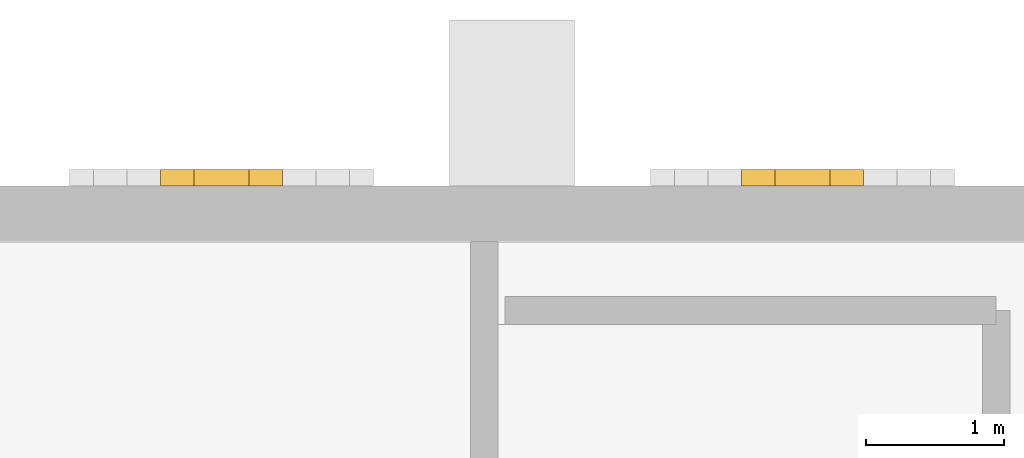
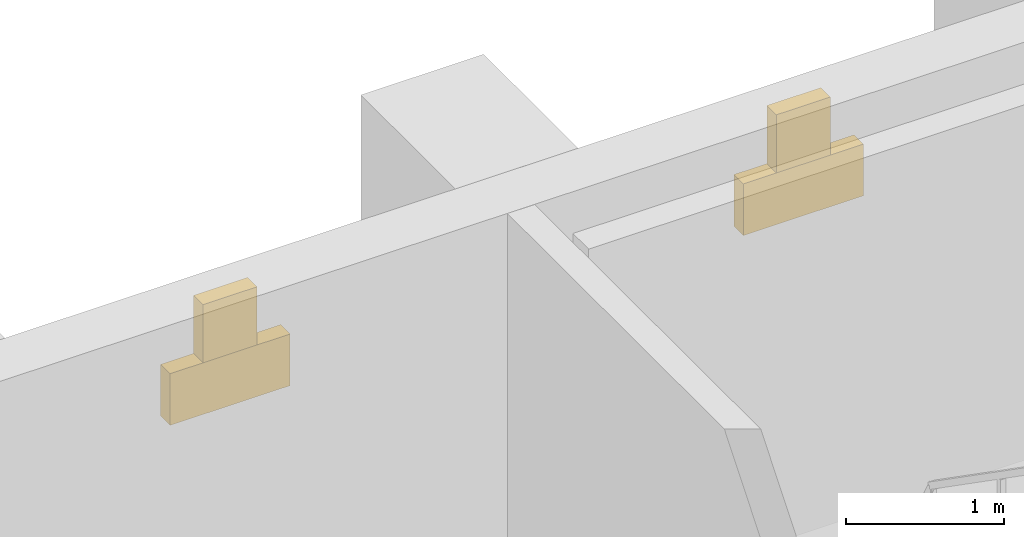
# One storey, part 14 of 14: 4 coverings.
"""IFC4 building model written with IfcOpenShell, lengths in metres."""

import ifcopenshell
import ifcopenshell.guid

model = None  # the IFC model being written
_history = None  # IfcOwnerHistory: only IFC2X3 demands one
_inside = {}  # id of a spatial element -> (the spatial element, [elements in it])
_under = {}  # id of a project, library or spatial element -> (it, [spatial elements below it])
_declared = {}  # id of a project -> (the project, [libraries it declares])
_typed = {}  # id of a type object -> (the type object, [elements of that type])
_made_of = {}  # id of a material, layer set ... -> (it, [elements and type objects made of it])


def new_model(schema):
    """Start an empty IFC model of exactly this schema.

    Asked for "IFC4X3", IfcOpenShell would pick the latest addendum, in which some entities
    have other attributes; the version numbers below select the first issue.
    IFC2X3 requires an IfcOwnerHistory on every rooted entity: one is made here for all.
    """
    global model, _history
    if schema == "IFC4X3":
        model = ifcopenshell.file(schema_version=(4, 3, 0, 0))
    else:
        model = ifcopenshell.file(schema=schema)
    _inside.clear()
    _under.clear()
    _declared.clear()
    _typed.clear()
    _made_of.clear()
    _history = None
    if model.schema == "IFC2X3":
        org = make("IfcOrganization", Name="unknown")
        user = make(
            "IfcPersonAndOrganization",
            ThePerson=make("IfcPerson", FamilyName="unknown"),
            TheOrganization=org,
        )
        app = make(
            "IfcApplication",
            ApplicationDeveloper=org,
            Version="unknown",
            ApplicationFullName="unknown",
            ApplicationIdentifier="unknown",
        )
        _history = make(
            "IfcOwnerHistory",
            OwningUser=user,
            OwningApplication=app,
            ChangeAction="ADDED",
            CreationDate=0,
        )
    return model


def make(cls, **values):
    """One entity of the class cls with the attributes given. An attribute that is None is left unset."""
    return model.create_entity(
        cls, **{name: value for name, value in values.items() if value is not None}
    )


def rooted(cls, **values):
    """An entity with a GlobalId (a new one), such as an element, a storey or a relation."""
    return make(cls, GlobalId=ifcopenshell.guid.new(), OwnerHistory=_history, **values)


def si_unit(unit_type, name, prefix=None):
    """IfcSIUnit, for example si_unit("LENGTHUNIT", "METRE", prefix="MILLI")."""
    return make("IfcSIUnit", UnitType=unit_type, Prefix=prefix, Name=name)


def assignment(units):
    """IfcUnitAssignment: the units of a project."""
    return None if units is None else make("IfcUnitAssignment", Units=units)


def point(xyz):
    """IfcCartesianPoint."""
    return None if xyz is None else make("IfcCartesianPoint", Coordinates=xyz)


def direction(xyz):
    """IfcDirection."""
    return None if xyz is None else make("IfcDirection", DirectionRatios=xyz)


def frame(location, z_axis=None, x_axis=None):
    """IfcAxis2Placement3D, a coordinate frame: its origin and axes. An axis left out is left unset."""
    return make(
        "IfcAxis2Placement3D",
        Location=point(location),
        Axis=direction(z_axis),
        RefDirection=direction(x_axis),
    )


def origin():
    """The frame at (0, 0, 0) with its axes left unset."""
    return frame((0.0, 0.0, 0.0))


def place(relative_to, where):
    """IfcLocalPlacement: puts the frame where relative to a parent placement (None: the world)."""
    return make(
        "IfcLocalPlacement", PlacementRelTo=relative_to, RelativePlacement=where
    )


def context(
    kind, dimensions, precision=None, world=None, true_north=None, identifier=None
):
    """IfcGeometricRepresentationContext, for example the 3D "Model" context."""
    return make(
        "IfcGeometricRepresentationContext",
        ContextIdentifier=identifier,
        ContextType=kind,
        CoordinateSpaceDimension=dimensions,
        Precision=precision,
        WorldCoordinateSystem=world,
        TrueNorth=true_north,
    )


def subcontext(parent, identifier, kind, view, scale=None):
    """IfcGeometricRepresentationSubContext, for example "Body" below "Model"."""
    return make(
        "IfcGeometricRepresentationSubContext",
        ContextIdentifier=identifier,
        ContextType=kind,
        ParentContext=parent,
        TargetScale=scale,
        TargetView=view,
    )


def project(units=None, contexts=None):
    """IfcProject with its units and contexts."""
    return rooted(
        "IfcProject",
        Name="project",
        RepresentationContexts=contexts,
        UnitsInContext=assignment(units),
    )


def spatial(cls, under=None, at=None, **own):
    """A site, building, storey or space (cls), placed at a placement, below another one or the project."""
    s = rooted(cls, ObjectPlacement=at, **own)
    if under is not None:
        _under.setdefault(under.id(), (under, []))[1].append(s)
    return s


def polyline(points):
    """IfcPolyline through the points."""
    return make("IfcPolyline", Points=[point(p) for p in points])


def outline(outer, holes=None, kind="AREA"):
    """IfcArbitraryClosedProfileDef: a profile drawn as a closed curve; with holes, ...WithVoids."""
    if holes is None:
        return make("IfcArbitraryClosedProfileDef", ProfileType=kind, OuterCurve=outer)
    return make(
        "IfcArbitraryProfileDefWithVoids",
        ProfileType=kind,
        OuterCurve=outer,
        InnerCurves=holes,
    )


def extrude(swept, where, along, depth):
    """IfcExtrudedAreaSolid: the profile swept, set in the frame where, extruded along a direction by depth."""
    return make(
        "IfcExtrudedAreaSolid",
        SweptArea=swept,
        Position=where,
        ExtrudedDirection=direction(along),
        Depth=depth,
    )


def shape(context_of_items, identifier, shape_type, items):
    """IfcShapeRepresentation: the items that make up one representation, for example the "Body"."""
    return make(
        "IfcShapeRepresentation",
        ContextOfItems=context_of_items,
        RepresentationIdentifier=identifier,
        RepresentationType=shape_type,
        Items=items,
    )


def material(Name=None, Category=None):
    """IfcMaterial."""
    return make("IfcMaterial", Name=Name, Category=Category)


def made_of(thing, what):
    """Note that an element or type object is made of a material, layer set ...; save() writes the relation."""
    if what is not None:
        _made_of.setdefault(what.id(), (what, []))[1].append(thing)
    return thing


def type_object(cls, material=None, **own):
    """A type object (cls), such as IfcWallType, which elements share."""
    return made_of(rooted(cls, **own), material)


def element(
    cls,
    number,
    at=None,
    inside=None,
    cuts=None,
    type_object=None,
    material=None,
    context=None,
    identifier="Body",
    shape_type=None,
    held_by="IfcProductDefinitionShape",
    body=None,
    shapes=None,
    **own,
):
    """One element of the class cls, such as IfcWall. Its Tag is "e" and its number.

    at: its placement. inside: the storey or other place that contains it. cuts: it is an
    opening in that element (IfcRelVoidsElement). A single representation is given by context,
    identifier, shape_type and body (its items); several are given by shapes. held_by: the class
    of the entity that holds the representations. save() writes the other relations.
    """
    e = rooted(cls, Tag="e%d" % number, ObjectPlacement=at, **own)
    if body is not None:
        shapes = [shape(context, identifier, shape_type, body)]
    if shapes is not None:
        e.Representation = make(held_by, Representations=shapes)
    if inside is not None:
        _inside.setdefault(inside.id(), (inside, []))[1].append(e)
    if cuts is not None:
        rooted(
            "IfcRelVoidsElement", RelatingBuildingElement=cuts, RelatedOpeningElement=e
        )
    if type_object is not None:
        _typed.setdefault(type_object.id(), (type_object, []))[1].append(e)
    return made_of(e, material)


def aggregate(whole, parts):
    """IfcRelAggregates: a whole, such as a stair, and the parts it consists of."""
    return rooted("IfcRelAggregates", RelatingObject=whole, RelatedObjects=parts)


def save(model, path):
    """Write the relations noted so far, then the file.

    IfcRelAggregates (storeys below a building ...), IfcRelContainedInSpatialStructure (elements
    in a storey), IfcRelDefinesByType, IfcRelAssociatesMaterial and IfcRelDeclares: one each for
    every whole, place, type object, material and project.
    """
    for whole, parts in _under.values():
        aggregate(whole, parts)
    for where, things in _inside.values():
        rooted(
            "IfcRelContainedInSpatialStructure",
            RelatedElements=things,
            RelatingStructure=where,
        )
    for kind, things in _typed.values():
        rooted("IfcRelDefinesByType", RelatedObjects=things, RelatingType=kind)
    for what, things in _made_of.values():
        rooted("IfcRelAssociatesMaterial", RelatedObjects=things, RelatingMaterial=what)
    for by, libraries in _declared.values():
        rooted("IfcRelDeclares", RelatingContext=by, RelatedDefinitions=libraries)
    model.write(path)


model = new_model("IFC4")

# Units and contexts
model_context = context("Model", 3, precision=1e-05, world=origin(), true_north=direction((0.0, 1.0)))
body_context = subcontext(model_context, "Body", "Model", "MODEL_VIEW")
ifc_project = project(units=[si_unit("LENGTHUNIT", "METRE"), si_unit("AREAUNIT", "SQUARE_METRE"), si_unit("VOLUMEUNIT", "CUBIC_METRE"), si_unit("PLANEANGLEUNIT", "RADIAN"), si_unit("MASSUNIT", "GRAM", prefix="KILO")], contexts=[model_context])

# Site, building, storey
site_placement = place(None, origin())
site = spatial("IfcSite", under=ifc_project, at=site_placement, CompositionType="ELEMENT")
building_placement = place(site_placement, origin())
building = spatial("IfcBuilding", under=site, at=building_placement, Name="Vermilion Ogive Tower", CompositionType="ELEMENT")
storey_placement = place(building_placement, frame((0.0, 0.0, 278.35009765625)))
storey = spatial("IfcBuildingStorey", under=building, at=storey_placement, Name="L73", CompositionType="ELEMENT", Elevation=278.35009765625)

# Coverings
ifc_material = material(Name="Stone cladding", Category="masonry")
covering_type = type_object("IfcCoveringType", Name="Lancet panel", PredefinedType="CLADDING", material=ifc_material)
covering_1_placement = place(storey_placement, frame((0.0, 0.0, 4.89990234375)))
element("IfcCovering", 1, at=covering_1_placement, inside=storey, type_object=covering_type, Name="Lancet panel L73N3D", PredefinedType="CLADDING", context=body_context, shape_type="SweptSolid", body=[
    extrude(outline(polyline([(1.659912109375, 21.75), (2.5400390625, 21.75), (2.5400390625, 21.8701171875), (1.659912109375, 21.8701171875), (1.659912109375, 21.75)])), origin(), (0.0, 0.0, 1.0), 0.39990234375),
])
covering_2_placement = place(storey_placement, frame((0.0, 0.0, 5.2998046875)))
element("IfcCovering", 2, at=covering_2_placement, inside=storey, type_object=covering_type, Name="Lancet panel L73N3E", PredefinedType="CLADDING", context=body_context, shape_type="SweptSolid", body=[
    extrude(outline(polyline([(1.902099609375, 21.75), (2.298095703125, 21.75), (2.298095703125, 21.8701171875), (1.902099609375, 21.8701171875), (1.902099609375, 21.75)])), origin(), (0.0, 0.0, 1.0), 0.4501953125),
])
covering_3_placement = place(storey_placement, frame((0.0, 0.0, 4.89990234375)))
element("IfcCovering", 3, at=covering_3_placement, inside=storey, type_object=covering_type, Name="Lancet panel L73N4D", PredefinedType="CLADDING", context=body_context, shape_type="SweptSolid", body=[
    extrude(outline(polyline([(5.860107421875, 21.75), (6.739990234375, 21.75), (6.739990234375, 21.8701171875), (5.860107421875, 21.8701171875), (5.860107421875, 21.75)])), origin(), (0.0, 0.0, 1.0), 0.39990234375),
])
covering_4_placement = place(storey_placement, frame((0.0, 0.0, 5.2998046875)))
element("IfcCovering", 4, at=covering_4_placement, inside=storey, type_object=covering_type, Name="Lancet panel L73N4E", PredefinedType="CLADDING", context=body_context, shape_type="SweptSolid", body=[
    extrude(outline(polyline([(6.10205078125, 21.75), (6.498046875, 21.75), (6.498046875, 21.8701171875), (6.10205078125, 21.8701171875), (6.10205078125, 21.75)])), origin(), (0.0, 0.0, 1.0), 0.4501953125),
])

save(model, "model.ifc")
